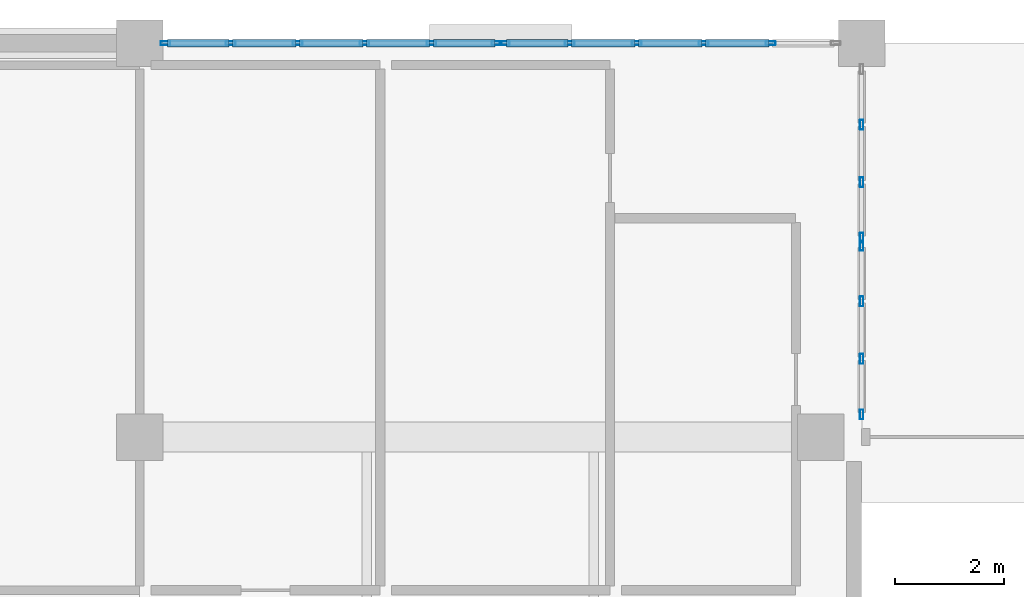
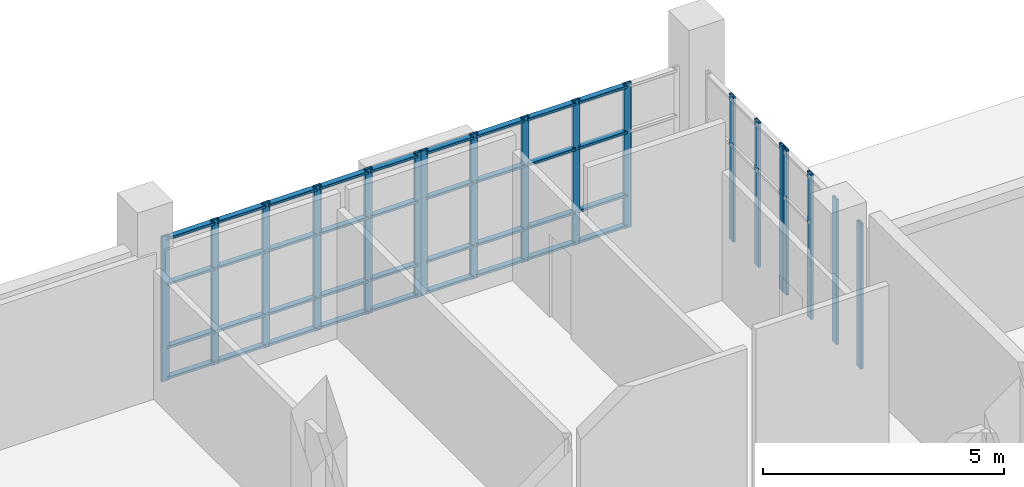
# One storey, part 42 of 97: 54 members, 4 elements without a shape of their own.
"""IFC4 building model written with IfcOpenShell, lengths in metres."""

import ifcopenshell
import ifcopenshell.guid

model = None  # the IFC model being written
_history = None  # IfcOwnerHistory: only IFC2X3 demands one
_inside = {}  # id of a spatial element -> (the spatial element, [elements in it])
_under = {}  # id of a project, library or spatial element -> (it, [spatial elements below it])
_declared = {}  # id of a project -> (the project, [libraries it declares])
_typed = {}  # id of a type object -> (the type object, [elements of that type])
_made_of = {}  # id of a material, layer set ... -> (it, [elements and type objects made of it])


def new_model(schema):
    """Start an empty IFC model of exactly this schema.

    Asked for "IFC4X3", IfcOpenShell would pick the latest addendum, in which some entities
    have other attributes; the version numbers below select the first issue.
    IFC2X3 requires an IfcOwnerHistory on every rooted entity: one is made here for all.
    """
    global model, _history
    if schema == "IFC4X3":
        model = ifcopenshell.file(schema_version=(4, 3, 0, 0))
    else:
        model = ifcopenshell.file(schema=schema)
    _inside.clear()
    _under.clear()
    _declared.clear()
    _typed.clear()
    _made_of.clear()
    _history = None
    if model.schema == "IFC2X3":
        org = make("IfcOrganization", Name="unknown")
        user = make(
            "IfcPersonAndOrganization",
            ThePerson=make("IfcPerson", FamilyName="unknown"),
            TheOrganization=org,
        )
        app = make(
            "IfcApplication",
            ApplicationDeveloper=org,
            Version="unknown",
            ApplicationFullName="unknown",
            ApplicationIdentifier="unknown",
        )
        _history = make(
            "IfcOwnerHistory",
            OwningUser=user,
            OwningApplication=app,
            ChangeAction="ADDED",
            CreationDate=0,
        )
    return model


def make(cls, **values):
    """One entity of the class cls with the attributes given. An attribute that is None is left unset."""
    return model.create_entity(
        cls, **{name: value for name, value in values.items() if value is not None}
    )


def rooted(cls, **values):
    """An entity with a GlobalId (a new one), such as an element, a storey or a relation."""
    return make(cls, GlobalId=ifcopenshell.guid.new(), OwnerHistory=_history, **values)


def si_unit(unit_type, name, prefix=None):
    """IfcSIUnit, for example si_unit("LENGTHUNIT", "METRE", prefix="MILLI")."""
    return make("IfcSIUnit", UnitType=unit_type, Prefix=prefix, Name=name)


def assignment(units):
    """IfcUnitAssignment: the units of a project."""
    return None if units is None else make("IfcUnitAssignment", Units=units)


def point(xyz):
    """IfcCartesianPoint."""
    return None if xyz is None else make("IfcCartesianPoint", Coordinates=xyz)


def direction(xyz):
    """IfcDirection."""
    return None if xyz is None else make("IfcDirection", DirectionRatios=xyz)


def frame(location, z_axis=None, x_axis=None):
    """IfcAxis2Placement3D, a coordinate frame: its origin and axes. An axis left out is left unset."""
    return make(
        "IfcAxis2Placement3D",
        Location=point(location),
        Axis=direction(z_axis),
        RefDirection=direction(x_axis),
    )


def frame_2d(location, x_axis=None):
    """IfcAxis2Placement2D, a coordinate frame in the plane: its origin and x axis."""
    return make(
        "IfcAxis2Placement2D", Location=point(location), RefDirection=direction(x_axis)
    )


def origin():
    """The frame at (0, 0, 0) with its axes left unset."""
    return frame((0.0, 0.0, 0.0))


def origin_2d():
    """The frame at (0, 0) in the plane with its x axis left unset."""
    return frame_2d((0.0, 0.0))


def place(relative_to, where):
    """IfcLocalPlacement: puts the frame where relative to a parent placement (None: the world)."""
    return make(
        "IfcLocalPlacement", PlacementRelTo=relative_to, RelativePlacement=where
    )


def context(
    kind, dimensions, precision=None, world=None, true_north=None, identifier=None
):
    """IfcGeometricRepresentationContext, for example the 3D "Model" context."""
    return make(
        "IfcGeometricRepresentationContext",
        ContextIdentifier=identifier,
        ContextType=kind,
        CoordinateSpaceDimension=dimensions,
        Precision=precision,
        WorldCoordinateSystem=world,
        TrueNorth=true_north,
    )


def subcontext(parent, identifier, kind, view, scale=None):
    """IfcGeometricRepresentationSubContext, for example "Body" below "Model"."""
    return make(
        "IfcGeometricRepresentationSubContext",
        ContextIdentifier=identifier,
        ContextType=kind,
        ParentContext=parent,
        TargetScale=scale,
        TargetView=view,
    )


def project(units=None, contexts=None):
    """IfcProject with its units and contexts."""
    return rooted(
        "IfcProject",
        Name="project",
        RepresentationContexts=contexts,
        UnitsInContext=assignment(units),
    )


def spatial(cls, under=None, at=None, **own):
    """A site, building, storey or space (cls), placed at a placement, below another one or the project."""
    s = rooted(cls, ObjectPlacement=at, **own)
    if under is not None:
        _under.setdefault(under.id(), (under, []))[1].append(s)
    return s


def profile(cls, at=None, kind="AREA", **sizes):
    """A parametric profile (cls). Its sizes go by their IFC names, for example OverallWidth=200.0."""
    return make(cls, ProfileType=kind, Position=at, **sizes)


def hollow_rectangle(**sizes):
    """IfcRectangleHollowProfileDef."""
    return profile("IfcRectangleHollowProfileDef", **sizes)


def extrude(swept, where, along, depth):
    """IfcExtrudedAreaSolid: the profile swept, set in the frame where, extruded along a direction by depth."""
    return make(
        "IfcExtrudedAreaSolid",
        SweptArea=swept,
        Position=where,
        ExtrudedDirection=direction(along),
        Depth=depth,
    )


def shape(context_of_items, identifier, shape_type, items):
    """IfcShapeRepresentation: the items that make up one representation, for example the "Body"."""
    return make(
        "IfcShapeRepresentation",
        ContextOfItems=context_of_items,
        RepresentationIdentifier=identifier,
        RepresentationType=shape_type,
        Items=items,
    )


def material(Name=None, Category=None):
    """IfcMaterial."""
    return make("IfcMaterial", Name=Name, Category=Category)


def layer(
    of_material, thickness, ventilated=None, Name=None, Category=None, Priority=None
):
    """IfcMaterialLayer: one layer of a wall or slab, of a material (None: an air gap)."""
    return make(
        "IfcMaterialLayer",
        Material=of_material,
        LayerThickness=thickness,
        IsVentilated=ventilated,
        Name=Name,
        Category=Category,
        Priority=Priority,
    )


def layer_set(layers, Name=None):
    """IfcMaterialLayerSet."""
    return make("IfcMaterialLayerSet", MaterialLayers=layers, LayerSetName=Name)


def material_profile(
    of_material, cross_section, Name=None, Category=None, Priority=None
):
    """IfcMaterialProfile: a cross section and its material."""
    return make(
        "IfcMaterialProfile",
        Name=Name,
        Material=of_material,
        Profile=cross_section,
        Priority=Priority,
        Category=Category,
    )


def profile_set(profiles, Name=None, composite=None):
    """IfcMaterialProfileSet."""
    return make(
        "IfcMaterialProfileSet",
        Name=Name,
        MaterialProfiles=profiles,
        CompositeProfile=composite,
    )


def made_of(thing, what):
    """Note that an element or type object is made of a material, layer set ...; save() writes the relation."""
    if what is not None:
        _made_of.setdefault(what.id(), (what, []))[1].append(thing)
    return thing


def type_object(cls, material=None, **own):
    """A type object (cls), such as IfcWallType, which elements share."""
    return made_of(rooted(cls, **own), material)


def element(
    cls,
    number,
    at=None,
    inside=None,
    cuts=None,
    type_object=None,
    material=None,
    context=None,
    identifier="Body",
    shape_type=None,
    held_by="IfcProductDefinitionShape",
    body=None,
    shapes=None,
    **own,
):
    """One element of the class cls, such as IfcWall. Its Tag is "e" and its number.

    at: its placement. inside: the storey or other place that contains it. cuts: it is an
    opening in that element (IfcRelVoidsElement). A single representation is given by context,
    identifier, shape_type and body (its items); several are given by shapes. held_by: the class
    of the entity that holds the representations. save() writes the other relations.
    """
    e = rooted(cls, Tag="e%d" % number, ObjectPlacement=at, **own)
    if body is not None:
        shapes = [shape(context, identifier, shape_type, body)]
    if shapes is not None:
        e.Representation = make(held_by, Representations=shapes)
    if inside is not None:
        _inside.setdefault(inside.id(), (inside, []))[1].append(e)
    if cuts is not None:
        rooted(
            "IfcRelVoidsElement", RelatingBuildingElement=cuts, RelatedOpeningElement=e
        )
    if type_object is not None:
        _typed.setdefault(type_object.id(), (type_object, []))[1].append(e)
    return made_of(e, material)


def aggregate(whole, parts):
    """IfcRelAggregates: a whole, such as a stair, and the parts it consists of."""
    return rooted("IfcRelAggregates", RelatingObject=whole, RelatedObjects=parts)


def save(model, path):
    """Write the relations noted so far, then the file.

    IfcRelAggregates (storeys below a building ...), IfcRelContainedInSpatialStructure (elements
    in a storey), IfcRelDefinesByType, IfcRelAssociatesMaterial and IfcRelDeclares: one each for
    every whole, place, type object, material and project.
    """
    for whole, parts in _under.values():
        aggregate(whole, parts)
    for where, things in _inside.values():
        rooted(
            "IfcRelContainedInSpatialStructure",
            RelatedElements=things,
            RelatingStructure=where,
        )
    for kind, things in _typed.values():
        rooted("IfcRelDefinesByType", RelatedObjects=things, RelatingType=kind)
    for what, things in _made_of.values():
        rooted("IfcRelAssociatesMaterial", RelatedObjects=things, RelatingMaterial=what)
    for by, libraries in _declared.values():
        rooted("IfcRelDeclares", RelatingContext=by, RelatedDefinitions=libraries)
    model.write(path)


model = new_model("IFC4")

# Units and contexts
model_context = context("Model", 3, precision=1e-05, world=origin(), true_north=direction((0.0, 1.0)))
body_context = subcontext(model_context, "Body", "Model", "MODEL_VIEW")
ifc_project = project(units=[si_unit("LENGTHUNIT", "METRE"), si_unit("AREAUNIT", "SQUARE_METRE"), si_unit("VOLUMEUNIT", "CUBIC_METRE"), si_unit("PLANEANGLEUNIT", "RADIAN"), si_unit("MASSUNIT", "GRAM", prefix="KILO")], contexts=[model_context])

# Site, building, storey
site_placement = place(None, origin())
site = spatial("IfcSite", under=ifc_project, at=site_placement, CompositionType="ELEMENT")
building_placement = place(site_placement, origin())
building = spatial("IfcBuilding", under=site, at=building_placement, Name="Kisaragi Civic Commons", CompositionType="ELEMENT")
storey_placement = place(building_placement, origin())
storey = spatial("IfcBuildingStorey", under=building, at=storey_placement, Name="L00", CompositionType="ELEMENT", Elevation=0.0)

# Curtain wall, members
ifc_material = material(Name="Thermally broken anodized aluminium and low-E double glazing", Category="aluminium")
ifc_layer = layer(ifc_material, 0.179931640625, Name="Thermally broken anodized aluminium and low-E double glazing", Category="aluminium")
ifc_layer_set = layer_set([ifc_layer], Name="Thermally broken anodized aluminium and low-E double glazing")
curtain_wall_type = type_object("IfcCurtainWallType", Name="CW-01", PredefinedType="NOTDEFINED", material=ifc_layer_set)
curtain_wall_1_placement = place(storey_placement, origin())
curtain_wall_1 = element("IfcCurtainWall", 1, at=curtain_wall_1_placement, inside=storey, type_object=curtain_wall_type, Name="L00 curtain wall CW-01 CW-V4-L00-049", PredefinedType="NOTDEFINED")
ifc_material_profile_1 = material_profile(ifc_material, hollow_rectangle(XDim=0.06494140625, YDim=0.179931640625, WallThickness=0.00439453125, InnerFilletRadius=0.00439453125, OuterFilletRadius=0.009033203125, at=origin_2d()), Name="CWM-65x180x4.5", Category="aluminium")
ifc_profile_set_1 = profile_set([ifc_material_profile_1], Name="Thermally broken anodized aluminium and low-E double glazing")
member_type_1 = type_object("IfcMemberType", Name="CWM-02", PredefinedType="MULLION", material=ifc_profile_set_1)
member_1_placement = place(storey_placement, frame((146.87255859375, 118.800048828125, 0.0), z_axis=(0.0, 0.0, 1.0), x_axis=(0.0, 1.0, 0.0)))
member_1 = element("IfcMember", 2, at=member_1_placement, type_object=member_type_1, Name="CW-01 mullion 1", PredefinedType="MULLION", context=body_context, shape_type="SweptSolid", body=[
    extrude(hollow_rectangle(XDim=0.06494140625, YDim=0.179931640625, WallThickness=0.00439453125, InnerFilletRadius=0.00439453125, OuterFilletRadius=0.009033203125, at=origin_2d()), origin(), (0.0, 0.0, 1.0), 3.669921875),
])
member_2_placement = place(storey_placement, frame((148.06396484375, 118.800048828125, 0.0), z_axis=(0.0, 0.0, 1.0), x_axis=(0.0, 1.0, 0.0)))
member_2 = element("IfcMember", 3, at=member_2_placement, type_object=member_type_1, Name="CW-01 mullion 2", PredefinedType="MULLION", context=body_context, shape_type="SweptSolid", body=[
    extrude(hollow_rectangle(XDim=0.06494140625, YDim=0.179931640625, WallThickness=0.00439453125, InnerFilletRadius=0.00439453125, OuterFilletRadius=0.009033203125, at=origin_2d()), origin(), (0.0, 0.0, 1.0), 3.669921875),
])
member_3_placement = place(storey_placement, frame((149.2880859375, 118.800048828125, 0.0), z_axis=(0.0, 0.0, 1.0), x_axis=(0.0, 1.0, 0.0)))
member_3 = element("IfcMember", 4, at=member_3_placement, type_object=member_type_1, Name="CW-01 mullion 3", PredefinedType="MULLION", context=body_context, shape_type="SweptSolid", body=[
    extrude(hollow_rectangle(XDim=0.06494140625, YDim=0.179931640625, WallThickness=0.00439453125, InnerFilletRadius=0.00439453125, OuterFilletRadius=0.009033203125, at=origin_2d()), origin(), (0.0, 0.0, 1.0), 3.669921875),
])
member_4_placement = place(storey_placement, frame((150.511962890625, 118.800048828125, 0.0), z_axis=(0.0, 0.0, 1.0), x_axis=(0.0, 1.0, 0.0)))
member_4 = element("IfcMember", 5, at=member_4_placement, type_object=member_type_1, Name="CW-01 mullion 4", PredefinedType="MULLION", context=body_context, shape_type="SweptSolid", body=[
    extrude(hollow_rectangle(XDim=0.06494140625, YDim=0.179931640625, WallThickness=0.00439453125, InnerFilletRadius=0.00439453125, OuterFilletRadius=0.009033203125, at=origin_2d()), origin(), (0.0, 0.0, 1.0), 3.669921875),
])
member_5_placement = place(storey_placement, frame((151.736083984375, 118.800048828125, 0.0), z_axis=(0.0, 0.0, 1.0), x_axis=(0.0, 1.0, 0.0)))
member_5 = element("IfcMember", 6, at=member_5_placement, type_object=member_type_1, Name="CW-01 mullion 5", PredefinedType="MULLION", context=body_context, shape_type="SweptSolid", body=[
    extrude(hollow_rectangle(XDim=0.06494140625, YDim=0.179931640625, WallThickness=0.00439453125, InnerFilletRadius=0.00439453125, OuterFilletRadius=0.009033203125, at=origin_2d()), origin(), (0.0, 0.0, 1.0), 3.669921875),
])
member_6_placement = place(storey_placement, frame((152.927490234375, 118.800048828125, 0.0), z_axis=(0.0, 0.0, 1.0), x_axis=(0.0, 1.0, 0.0)))
member_6 = element("IfcMember", 7, at=member_6_placement, type_object=member_type_1, Name="CW-01 mullion 6", PredefinedType="MULLION", context=body_context, shape_type="SweptSolid", body=[
    extrude(hollow_rectangle(XDim=0.06494140625, YDim=0.179931640625, WallThickness=0.00439453125, InnerFilletRadius=0.00439453125, OuterFilletRadius=0.009033203125, at=origin_2d()), origin(), (0.0, 0.0, 1.0), 3.669921875),
])

curtain_wall_2_placement = place(storey_placement, origin())
curtain_wall_2 = element("IfcCurtainWall", 8, at=curtain_wall_2_placement, inside=storey, type_object=curtain_wall_type, Name="L00 curtain wall CW-01 CW-V4-L00-050", PredefinedType="NOTDEFINED")
member_7_placement = place(storey_placement, frame((153.072509765625, 118.800048828125, 0.0), z_axis=(0.0, 0.0, 1.0), x_axis=(0.0, 1.0, 0.0)))
member_7 = element("IfcMember", 9, at=member_7_placement, type_object=member_type_1, Name="CW-01 mullion 1", PredefinedType="MULLION", context=body_context, shape_type="SweptSolid", body=[
    extrude(hollow_rectangle(XDim=0.06494140625, YDim=0.179931640625, WallThickness=0.00439453125, InnerFilletRadius=0.00439453125, OuterFilletRadius=0.009033203125, at=origin_2d()), origin(), (0.0, 0.0, 1.0), 3.669921875),
])
member_8_placement = place(storey_placement, frame((154.263916015625, 118.800048828125, 0.0), z_axis=(0.0, 0.0, 1.0), x_axis=(0.0, 1.0, 0.0)))
member_8 = element("IfcMember", 10, at=member_8_placement, type_object=member_type_1, Name="CW-01 mullion 2", PredefinedType="MULLION", context=body_context, shape_type="SweptSolid", body=[
    extrude(hollow_rectangle(XDim=0.06494140625, YDim=0.179931640625, WallThickness=0.00439453125, InnerFilletRadius=0.00439453125, OuterFilletRadius=0.009033203125, at=origin_2d()), origin(), (0.0, 0.0, 1.0), 3.669921875),
])
member_9_placement = place(storey_placement, frame((155.488037109375, 118.800048828125, 0.0), z_axis=(0.0, 0.0, 1.0), x_axis=(0.0, 1.0, 0.0)))
member_9 = element("IfcMember", 11, at=member_9_placement, type_object=member_type_1, Name="CW-01 mullion 3", PredefinedType="MULLION", context=body_context, shape_type="SweptSolid", body=[
    extrude(hollow_rectangle(XDim=0.06494140625, YDim=0.179931640625, WallThickness=0.00439453125, InnerFilletRadius=0.00439453125, OuterFilletRadius=0.009033203125, at=origin_2d()), origin(), (0.0, 0.0, 1.0), 3.669921875),
])
member_10_placement = place(storey_placement, frame((156.7119140625, 118.800048828125, 0.0), z_axis=(0.0, 0.0, 1.0), x_axis=(0.0, 1.0, 0.0)))
member_10 = element("IfcMember", 12, at=member_10_placement, type_object=member_type_1, Name="CW-01 mullion 4", PredefinedType="MULLION", context=body_context, shape_type="SweptSolid", body=[
    extrude(hollow_rectangle(XDim=0.06494140625, YDim=0.179931640625, WallThickness=0.00439453125, InnerFilletRadius=0.00439453125, OuterFilletRadius=0.009033203125, at=origin_2d()), origin(), (0.0, 0.0, 1.0), 3.669921875),
])
member_11_placement = place(storey_placement, frame((157.93603515625, 118.800048828125, 0.0), z_axis=(0.0, 0.0, 1.0), x_axis=(0.0, 1.0, 0.0)))
member_11 = element("IfcMember", 13, at=member_11_placement, type_object=member_type_1, Name="CW-01 mullion 5", PredefinedType="MULLION", context=body_context, shape_type="SweptSolid", body=[
    extrude(hollow_rectangle(XDim=0.06494140625, YDim=0.179931640625, WallThickness=0.00439453125, InnerFilletRadius=0.00439453125, OuterFilletRadius=0.009033203125, at=origin_2d()), origin(), (0.0, 0.0, 1.0), 3.669921875),
])

curtain_wall_3_placement = place(storey_placement, origin())
curtain_wall_3 = element("IfcCurtainWall", 14, at=curtain_wall_3_placement, inside=storey, type_object=curtain_wall_type, Name="L00 curtain wall CW-01 CW-V4-L00-051", PredefinedType="NOTDEFINED")
member_12_placement = place(storey_placement, frame((159.60009765625, 117.31005859375, 0.0), z_axis=(0.0, 0.0, 1.0), x_axis=(1.0, 0.0, 0.0)))
member_12 = element("IfcMember", 15, at=member_12_placement, type_object=member_type_1, Name="CW-01 mullion 2", PredefinedType="MULLION", context=body_context, shape_type="SweptSolid", body=[
    extrude(hollow_rectangle(XDim=0.06494140625, YDim=0.179931640625, WallThickness=0.00439453125, InnerFilletRadius=0.00439453125, OuterFilletRadius=0.009033203125, at=origin_2d()), origin(), (0.0, 0.0, 1.0), 3.669921875),
])
member_13_placement = place(storey_placement, frame((159.60009765625, 116.260009765625, 0.0), z_axis=(0.0, 0.0, 1.0), x_axis=(1.0, 0.0, 0.0)))
member_13 = element("IfcMember", 16, at=member_13_placement, type_object=member_type_1, Name="CW-01 mullion 3", PredefinedType="MULLION", context=body_context, shape_type="SweptSolid", body=[
    extrude(hollow_rectangle(XDim=0.06494140625, YDim=0.179931640625, WallThickness=0.00439453125, InnerFilletRadius=0.00439453125, OuterFilletRadius=0.009033203125, at=origin_2d()), origin(), (0.0, 0.0, 1.0), 3.669921875),
])
member_14_placement = place(storey_placement, frame((159.60009765625, 115.242431640625, 0.0), z_axis=(0.0, 0.0, 1.0), x_axis=(1.0, 0.0, 0.0)))
member_14 = element("IfcMember", 17, at=member_14_placement, type_object=member_type_1, Name="CW-01 mullion 4", PredefinedType="MULLION", context=body_context, shape_type="SweptSolid", body=[
    extrude(hollow_rectangle(XDim=0.06494140625, YDim=0.179931640625, WallThickness=0.00439453125, InnerFilletRadius=0.00439453125, OuterFilletRadius=0.009033203125, at=origin_2d()), origin(), (0.0, 0.0, 1.0), 3.669921875),
])
aggregate(curtain_wall_3, [member_12, member_13, member_14])

curtain_wall_4_placement = place(storey_placement, origin())
curtain_wall_4 = element("IfcCurtainWall", 18, at=curtain_wall_4_placement, inside=storey, type_object=curtain_wall_type, Name="L00 curtain wall CW-01 CW-V4-L00-052", PredefinedType="NOTDEFINED")
member_15_placement = place(storey_placement, frame((159.60009765625, 115.097412109375, 0.0), z_axis=(0.0, 0.0, 1.0), x_axis=(1.0, 0.0, 0.0)))
member_15 = element("IfcMember", 19, at=member_15_placement, type_object=member_type_1, Name="CW-01 mullion 1", PredefinedType="MULLION", context=body_context, shape_type="SweptSolid", body=[
    extrude(hollow_rectangle(XDim=0.06494140625, YDim=0.179931640625, WallThickness=0.00439453125, InnerFilletRadius=0.00439453125, OuterFilletRadius=0.009033203125, at=origin_2d()), origin(), (0.0, 0.0, 1.0), 3.669921875),
])
member_16_placement = place(storey_placement, frame((159.60009765625, 114.080078125, 0.0), z_axis=(0.0, 0.0, 1.0), x_axis=(1.0, 0.0, 0.0)))
member_16 = element("IfcMember", 20, at=member_16_placement, type_object=member_type_1, Name="CW-01 mullion 2", PredefinedType="MULLION", context=body_context, shape_type="SweptSolid", body=[
    extrude(hollow_rectangle(XDim=0.06494140625, YDim=0.179931640625, WallThickness=0.00439453125, InnerFilletRadius=0.00439453125, OuterFilletRadius=0.009033203125, at=origin_2d()), origin(), (0.0, 0.0, 1.0), 3.669921875),
])
member_17_placement = place(storey_placement, frame((159.60009765625, 113.030029296875, 0.0), z_axis=(0.0, 0.0, 1.0), x_axis=(1.0, 0.0, 0.0)))
member_17 = element("IfcMember", 21, at=member_17_placement, type_object=member_type_1, Name="CW-01 mullion 3", PredefinedType="MULLION", context=body_context, shape_type="SweptSolid", body=[
    extrude(hollow_rectangle(XDim=0.06494140625, YDim=0.179931640625, WallThickness=0.00439453125, InnerFilletRadius=0.00439453125, OuterFilletRadius=0.009033203125, at=origin_2d()), origin(), (0.0, 0.0, 1.0), 3.669921875),
])
member_18_placement = place(storey_placement, frame((159.60009765625, 112.012451171875, 0.0), z_axis=(0.0, 0.0, 1.0), x_axis=(1.0, 0.0, 0.0)))
member_18 = element("IfcMember", 22, at=member_18_placement, type_object=member_type_1, Name="CW-01 mullion 4", PredefinedType="MULLION", context=body_context, shape_type="SweptSolid", body=[
    extrude(hollow_rectangle(XDim=0.06494140625, YDim=0.179931640625, WallThickness=0.00439453125, InnerFilletRadius=0.00439453125, OuterFilletRadius=0.009033203125, at=origin_2d()), origin(), (0.0, 0.0, 1.0), 3.669921875),
])
aggregate(curtain_wall_4, [member_15, member_16, member_17, member_18])

# Member
ifc_material_profile_2 = material_profile(ifc_material, hollow_rectangle(XDim=0.139892578125, YDim=0.06494140625, WallThickness=0.00439453125, InnerFilletRadius=0.00439453125, OuterFilletRadius=0.009033203125, at=origin_2d()), Name="CWT-65x140x4.5", Category="aluminium")
ifc_profile_set_2 = profile_set([ifc_material_profile_2], Name="Thermally broken anodized aluminium and low-E double glazing")
member_type_2 = type_object("IfcMemberType", Name="CWT-02", PredefinedType="USERDEFINED", material=ifc_profile_set_2)
member_19_placement = place(storey_placement, frame((146.905029296875, 118.800048828125, 0.070068359375), z_axis=(1.0, 0.0, 0.0), x_axis=(0.0, 1.0, 0.0)))
member_19 = element("IfcMember", 23, at=member_19_placement, type_object=member_type_2, Name="CW-01 transom 1.1", ObjectType="TRANSOM", PredefinedType="USERDEFINED", context=body_context, shape_type="SweptSolid", body=[
    extrude(hollow_rectangle(XDim=0.139892578125, YDim=0.06494140625, WallThickness=0.00439453125, InnerFilletRadius=0.00439453125, OuterFilletRadius=0.009033203125, at=origin_2d()), origin(), (0.0, 0.0, 1.0), 1.12646484375),
])

member_20_placement = place(storey_placement, frame((146.905029296875, 118.800048828125, 0.85009765625), z_axis=(1.0, 0.0, 0.0), x_axis=(0.0, 1.0, 0.0)))
member_20 = element("IfcMember", 24, at=member_20_placement, type_object=member_type_2, Name="CW-01 transom 1.2", ObjectType="TRANSOM", PredefinedType="USERDEFINED", context=body_context, shape_type="SweptSolid", body=[
    extrude(hollow_rectangle(XDim=0.139892578125, YDim=0.06494140625, WallThickness=0.00439453125, InnerFilletRadius=0.00439453125, OuterFilletRadius=0.009033203125, at=origin_2d()), origin(), (0.0, 0.0, 1.0), 1.12646484375),
])

member_21_placement = place(storey_placement, frame((146.905029296875, 118.800048828125, 2.449951171875), z_axis=(1.0, 0.0, 0.0), x_axis=(0.0, 1.0, 0.0)))
member_21 = element("IfcMember", 25, at=member_21_placement, type_object=member_type_2, Name="CW-01 transom 1.3", ObjectType="TRANSOM", PredefinedType="USERDEFINED", context=body_context, shape_type="SweptSolid", body=[
    extrude(hollow_rectangle(XDim=0.139892578125, YDim=0.06494140625, WallThickness=0.00439453125, InnerFilletRadius=0.00439453125, OuterFilletRadius=0.009033203125, at=origin_2d()), origin(), (0.0, 0.0, 1.0), 1.12646484375),
])

member_22_placement = place(storey_placement, frame((146.905029296875, 118.800048828125, 3.60009765625), z_axis=(1.0, 0.0, 0.0), x_axis=(0.0, 1.0, 0.0)))
member_22 = element("IfcMember", 26, at=member_22_placement, type_object=member_type_2, Name="CW-01 transom 1.4", ObjectType="TRANSOM", PredefinedType="USERDEFINED", context=body_context, shape_type="SweptSolid", body=[
    extrude(hollow_rectangle(XDim=0.139892578125, YDim=0.06494140625, WallThickness=0.00439453125, InnerFilletRadius=0.00439453125, OuterFilletRadius=0.009033203125, at=origin_2d()), origin(), (0.0, 0.0, 1.0), 1.12646484375),
])

member_23_placement = place(storey_placement, frame((148.096435546875, 118.800048828125, 0.070068359375), z_axis=(1.0, 0.0, 0.0), x_axis=(0.0, 1.0, 0.0)))
member_23 = element("IfcMember", 27, at=member_23_placement, type_object=member_type_2, Name="CW-01 transom 2.1", ObjectType="TRANSOM", PredefinedType="USERDEFINED", context=body_context, shape_type="SweptSolid", body=[
    extrude(hollow_rectangle(XDim=0.139892578125, YDim=0.06494140625, WallThickness=0.00439453125, InnerFilletRadius=0.00439453125, OuterFilletRadius=0.009033203125, at=origin_2d()), origin(), (0.0, 0.0, 1.0), 1.1591796875),
])

member_24_placement = place(storey_placement, frame((148.096435546875, 118.800048828125, 0.85009765625), z_axis=(1.0, 0.0, 0.0), x_axis=(0.0, 1.0, 0.0)))
member_24 = element("IfcMember", 28, at=member_24_placement, type_object=member_type_2, Name="CW-01 transom 2.2", ObjectType="TRANSOM", PredefinedType="USERDEFINED", context=body_context, shape_type="SweptSolid", body=[
    extrude(hollow_rectangle(XDim=0.139892578125, YDim=0.06494140625, WallThickness=0.00439453125, InnerFilletRadius=0.00439453125, OuterFilletRadius=0.009033203125, at=origin_2d()), origin(), (0.0, 0.0, 1.0), 1.1591796875),
])

member_25_placement = place(storey_placement, frame((148.096435546875, 118.800048828125, 2.449951171875), z_axis=(1.0, 0.0, 0.0), x_axis=(0.0, 1.0, 0.0)))
member_25 = element("IfcMember", 29, at=member_25_placement, type_object=member_type_2, Name="CW-01 transom 2.3", ObjectType="TRANSOM", PredefinedType="USERDEFINED", context=body_context, shape_type="SweptSolid", body=[
    extrude(hollow_rectangle(XDim=0.139892578125, YDim=0.06494140625, WallThickness=0.00439453125, InnerFilletRadius=0.00439453125, OuterFilletRadius=0.009033203125, at=origin_2d()), origin(), (0.0, 0.0, 1.0), 1.1591796875),
])

member_26_placement = place(storey_placement, frame((148.096435546875, 118.800048828125, 3.60009765625), z_axis=(1.0, 0.0, 0.0), x_axis=(0.0, 1.0, 0.0)))
member_26 = element("IfcMember", 30, at=member_26_placement, type_object=member_type_2, Name="CW-01 transom 2.4", ObjectType="TRANSOM", PredefinedType="USERDEFINED", context=body_context, shape_type="SweptSolid", body=[
    extrude(hollow_rectangle(XDim=0.139892578125, YDim=0.06494140625, WallThickness=0.00439453125, InnerFilletRadius=0.00439453125, OuterFilletRadius=0.009033203125, at=origin_2d()), origin(), (0.0, 0.0, 1.0), 1.1591796875),
])

member_27_placement = place(storey_placement, frame((149.320556640625, 118.800048828125, 0.070068359375), z_axis=(1.0, 0.0, 0.0), x_axis=(0.0, 1.0, 0.0)))
member_27 = element("IfcMember", 31, at=member_27_placement, type_object=member_type_2, Name="CW-01 transom 3.1", ObjectType="TRANSOM", PredefinedType="USERDEFINED", context=body_context, shape_type="SweptSolid", body=[
    extrude(hollow_rectangle(XDim=0.139892578125, YDim=0.06494140625, WallThickness=0.00439453125, InnerFilletRadius=0.00439453125, OuterFilletRadius=0.009033203125, at=origin_2d()), origin(), (0.0, 0.0, 1.0), 1.158935546875),
])

member_28_placement = place(storey_placement, frame((149.320556640625, 118.800048828125, 0.85009765625), z_axis=(1.0, 0.0, 0.0), x_axis=(0.0, 1.0, 0.0)))
member_28 = element("IfcMember", 32, at=member_28_placement, type_object=member_type_2, Name="CW-01 transom 3.2", ObjectType="TRANSOM", PredefinedType="USERDEFINED", context=body_context, shape_type="SweptSolid", body=[
    extrude(hollow_rectangle(XDim=0.139892578125, YDim=0.06494140625, WallThickness=0.00439453125, InnerFilletRadius=0.00439453125, OuterFilletRadius=0.009033203125, at=origin_2d()), origin(), (0.0, 0.0, 1.0), 1.158935546875),
])

member_29_placement = place(storey_placement, frame((149.320556640625, 118.800048828125, 2.449951171875), z_axis=(1.0, 0.0, 0.0), x_axis=(0.0, 1.0, 0.0)))
member_29 = element("IfcMember", 33, at=member_29_placement, type_object=member_type_2, Name="CW-01 transom 3.3", ObjectType="TRANSOM", PredefinedType="USERDEFINED", context=body_context, shape_type="SweptSolid", body=[
    extrude(hollow_rectangle(XDim=0.139892578125, YDim=0.06494140625, WallThickness=0.00439453125, InnerFilletRadius=0.00439453125, OuterFilletRadius=0.009033203125, at=origin_2d()), origin(), (0.0, 0.0, 1.0), 1.158935546875),
])

member_30_placement = place(storey_placement, frame((149.320556640625, 118.800048828125, 3.60009765625), z_axis=(1.0, 0.0, 0.0), x_axis=(0.0, 1.0, 0.0)))
member_30 = element("IfcMember", 34, at=member_30_placement, type_object=member_type_2, Name="CW-01 transom 3.4", ObjectType="TRANSOM", PredefinedType="USERDEFINED", context=body_context, shape_type="SweptSolid", body=[
    extrude(hollow_rectangle(XDim=0.139892578125, YDim=0.06494140625, WallThickness=0.00439453125, InnerFilletRadius=0.00439453125, OuterFilletRadius=0.009033203125, at=origin_2d()), origin(), (0.0, 0.0, 1.0), 1.158935546875),
])

member_31_placement = place(storey_placement, frame((150.54443359375, 118.800048828125, 0.070068359375), z_axis=(1.0, 0.0, 0.0), x_axis=(0.0, 1.0, 0.0)))
member_31 = element("IfcMember", 35, at=member_31_placement, type_object=member_type_2, Name="CW-01 transom 4.1", ObjectType="TRANSOM", PredefinedType="USERDEFINED", context=body_context, shape_type="SweptSolid", body=[
    extrude(hollow_rectangle(XDim=0.139892578125, YDim=0.06494140625, WallThickness=0.00439453125, InnerFilletRadius=0.00439453125, OuterFilletRadius=0.009033203125, at=origin_2d()), origin(), (0.0, 0.0, 1.0), 1.1591796875),
])

member_32_placement = place(storey_placement, frame((150.54443359375, 118.800048828125, 0.85009765625), z_axis=(1.0, 0.0, 0.0), x_axis=(0.0, 1.0, 0.0)))
member_32 = element("IfcMember", 36, at=member_32_placement, type_object=member_type_2, Name="CW-01 transom 4.2", ObjectType="TRANSOM", PredefinedType="USERDEFINED", context=body_context, shape_type="SweptSolid", body=[
    extrude(hollow_rectangle(XDim=0.139892578125, YDim=0.06494140625, WallThickness=0.00439453125, InnerFilletRadius=0.00439453125, OuterFilletRadius=0.009033203125, at=origin_2d()), origin(), (0.0, 0.0, 1.0), 1.1591796875),
])

member_33_placement = place(storey_placement, frame((150.54443359375, 118.800048828125, 2.449951171875), z_axis=(1.0, 0.0, 0.0), x_axis=(0.0, 1.0, 0.0)))
member_33 = element("IfcMember", 37, at=member_33_placement, type_object=member_type_2, Name="CW-01 transom 4.3", ObjectType="TRANSOM", PredefinedType="USERDEFINED", context=body_context, shape_type="SweptSolid", body=[
    extrude(hollow_rectangle(XDim=0.139892578125, YDim=0.06494140625, WallThickness=0.00439453125, InnerFilletRadius=0.00439453125, OuterFilletRadius=0.009033203125, at=origin_2d()), origin(), (0.0, 0.0, 1.0), 1.1591796875),
])

member_34_placement = place(storey_placement, frame((150.54443359375, 118.800048828125, 3.60009765625), z_axis=(1.0, 0.0, 0.0), x_axis=(0.0, 1.0, 0.0)))
member_34 = element("IfcMember", 38, at=member_34_placement, type_object=member_type_2, Name="CW-01 transom 4.4", ObjectType="TRANSOM", PredefinedType="USERDEFINED", context=body_context, shape_type="SweptSolid", body=[
    extrude(hollow_rectangle(XDim=0.139892578125, YDim=0.06494140625, WallThickness=0.00439453125, InnerFilletRadius=0.00439453125, OuterFilletRadius=0.009033203125, at=origin_2d()), origin(), (0.0, 0.0, 1.0), 1.1591796875),
])

member_35_placement = place(storey_placement, frame((151.7685546875, 118.800048828125, 0.070068359375), z_axis=(1.0, 0.0, 0.0), x_axis=(0.0, 1.0, 0.0)))
member_35 = element("IfcMember", 39, at=member_35_placement, type_object=member_type_2, Name="CW-01 transom 5.1", ObjectType="TRANSOM", PredefinedType="USERDEFINED", context=body_context, shape_type="SweptSolid", body=[
    extrude(hollow_rectangle(XDim=0.139892578125, YDim=0.06494140625, WallThickness=0.00439453125, InnerFilletRadius=0.00439453125, OuterFilletRadius=0.009033203125, at=origin_2d()), origin(), (0.0, 0.0, 1.0), 1.12646484375),
])

member_36_placement = place(storey_placement, frame((151.7685546875, 118.800048828125, 0.85009765625), z_axis=(1.0, 0.0, 0.0), x_axis=(0.0, 1.0, 0.0)))
member_36 = element("IfcMember", 40, at=member_36_placement, type_object=member_type_2, Name="CW-01 transom 5.2", ObjectType="TRANSOM", PredefinedType="USERDEFINED", context=body_context, shape_type="SweptSolid", body=[
    extrude(hollow_rectangle(XDim=0.139892578125, YDim=0.06494140625, WallThickness=0.00439453125, InnerFilletRadius=0.00439453125, OuterFilletRadius=0.009033203125, at=origin_2d()), origin(), (0.0, 0.0, 1.0), 1.12646484375),
])

member_37_placement = place(storey_placement, frame((151.7685546875, 118.800048828125, 2.449951171875), z_axis=(1.0, 0.0, 0.0), x_axis=(0.0, 1.0, 0.0)))
member_37 = element("IfcMember", 41, at=member_37_placement, type_object=member_type_2, Name="CW-01 transom 5.3", ObjectType="TRANSOM", PredefinedType="USERDEFINED", context=body_context, shape_type="SweptSolid", body=[
    extrude(hollow_rectangle(XDim=0.139892578125, YDim=0.06494140625, WallThickness=0.00439453125, InnerFilletRadius=0.00439453125, OuterFilletRadius=0.009033203125, at=origin_2d()), origin(), (0.0, 0.0, 1.0), 1.12646484375),
])

member_38_placement = place(storey_placement, frame((151.7685546875, 118.800048828125, 3.60009765625), z_axis=(1.0, 0.0, 0.0), x_axis=(0.0, 1.0, 0.0)))
member_38 = element("IfcMember", 42, at=member_38_placement, type_object=member_type_2, Name="CW-01 transom 5.4", ObjectType="TRANSOM", PredefinedType="USERDEFINED", context=body_context, shape_type="SweptSolid", body=[
    extrude(hollow_rectangle(XDim=0.139892578125, YDim=0.06494140625, WallThickness=0.00439453125, InnerFilletRadius=0.00439453125, OuterFilletRadius=0.009033203125, at=origin_2d()), origin(), (0.0, 0.0, 1.0), 1.12646484375),
])

aggregate(curtain_wall_1, [member_1, member_2, member_3, member_4, member_5, member_6, member_19, member_20, member_21, member_22, member_23, member_24, member_25, member_26, member_27, member_28, member_29, member_30, member_31, member_32, member_33, member_34, member_35, member_36, member_37, member_38])

member_39_placement = place(storey_placement, frame((153.10498046875, 118.800048828125, 0.070068359375), z_axis=(1.0, 0.0, 0.0), x_axis=(0.0, 1.0, 0.0)))
member_39 = element("IfcMember", 43, at=member_39_placement, type_object=member_type_2, Name="CW-01 transom 1.1", ObjectType="TRANSOM", PredefinedType="USERDEFINED", context=body_context, shape_type="SweptSolid", body=[
    extrude(hollow_rectangle(XDim=0.139892578125, YDim=0.06494140625, WallThickness=0.00439453125, InnerFilletRadius=0.00439453125, OuterFilletRadius=0.009033203125, at=origin_2d()), origin(), (0.0, 0.0, 1.0), 1.12646484375),
])

member_40_placement = place(storey_placement, frame((153.10498046875, 118.800048828125, 0.85009765625), z_axis=(1.0, 0.0, 0.0), x_axis=(0.0, 1.0, 0.0)))
member_40 = element("IfcMember", 44, at=member_40_placement, type_object=member_type_2, Name="CW-01 transom 1.2", ObjectType="TRANSOM", PredefinedType="USERDEFINED", context=body_context, shape_type="SweptSolid", body=[
    extrude(hollow_rectangle(XDim=0.139892578125, YDim=0.06494140625, WallThickness=0.00439453125, InnerFilletRadius=0.00439453125, OuterFilletRadius=0.009033203125, at=origin_2d()), origin(), (0.0, 0.0, 1.0), 1.12646484375),
])

member_41_placement = place(storey_placement, frame((153.10498046875, 118.800048828125, 2.449951171875), z_axis=(1.0, 0.0, 0.0), x_axis=(0.0, 1.0, 0.0)))
member_41 = element("IfcMember", 45, at=member_41_placement, type_object=member_type_2, Name="CW-01 transom 1.3", ObjectType="TRANSOM", PredefinedType="USERDEFINED", context=body_context, shape_type="SweptSolid", body=[
    extrude(hollow_rectangle(XDim=0.139892578125, YDim=0.06494140625, WallThickness=0.00439453125, InnerFilletRadius=0.00439453125, OuterFilletRadius=0.009033203125, at=origin_2d()), origin(), (0.0, 0.0, 1.0), 1.12646484375),
])

member_42_placement = place(storey_placement, frame((153.10498046875, 118.800048828125, 3.60009765625), z_axis=(1.0, 0.0, 0.0), x_axis=(0.0, 1.0, 0.0)))
member_42 = element("IfcMember", 46, at=member_42_placement, type_object=member_type_2, Name="CW-01 transom 1.4", ObjectType="TRANSOM", PredefinedType="USERDEFINED", context=body_context, shape_type="SweptSolid", body=[
    extrude(hollow_rectangle(XDim=0.139892578125, YDim=0.06494140625, WallThickness=0.00439453125, InnerFilletRadius=0.00439453125, OuterFilletRadius=0.009033203125, at=origin_2d()), origin(), (0.0, 0.0, 1.0), 1.12646484375),
])

member_43_placement = place(storey_placement, frame((154.29638671875, 118.800048828125, 0.070068359375), z_axis=(1.0, 0.0, 0.0), x_axis=(0.0, 1.0, 0.0)))
member_43 = element("IfcMember", 47, at=member_43_placement, type_object=member_type_2, Name="CW-01 transom 2.1", ObjectType="TRANSOM", PredefinedType="USERDEFINED", context=body_context, shape_type="SweptSolid", body=[
    extrude(hollow_rectangle(XDim=0.139892578125, YDim=0.06494140625, WallThickness=0.00439453125, InnerFilletRadius=0.00439453125, OuterFilletRadius=0.009033203125, at=origin_2d()), origin(), (0.0, 0.0, 1.0), 1.1591796875),
])

member_44_placement = place(storey_placement, frame((154.29638671875, 118.800048828125, 0.85009765625), z_axis=(1.0, 0.0, 0.0), x_axis=(0.0, 1.0, 0.0)))
member_44 = element("IfcMember", 48, at=member_44_placement, type_object=member_type_2, Name="CW-01 transom 2.2", ObjectType="TRANSOM", PredefinedType="USERDEFINED", context=body_context, shape_type="SweptSolid", body=[
    extrude(hollow_rectangle(XDim=0.139892578125, YDim=0.06494140625, WallThickness=0.00439453125, InnerFilletRadius=0.00439453125, OuterFilletRadius=0.009033203125, at=origin_2d()), origin(), (0.0, 0.0, 1.0), 1.1591796875),
])

member_45_placement = place(storey_placement, frame((154.29638671875, 118.800048828125, 2.449951171875), z_axis=(1.0, 0.0, 0.0), x_axis=(0.0, 1.0, 0.0)))
member_45 = element("IfcMember", 49, at=member_45_placement, type_object=member_type_2, Name="CW-01 transom 2.3", ObjectType="TRANSOM", PredefinedType="USERDEFINED", context=body_context, shape_type="SweptSolid", body=[
    extrude(hollow_rectangle(XDim=0.139892578125, YDim=0.06494140625, WallThickness=0.00439453125, InnerFilletRadius=0.00439453125, OuterFilletRadius=0.009033203125, at=origin_2d()), origin(), (0.0, 0.0, 1.0), 1.1591796875),
])

member_46_placement = place(storey_placement, frame((154.29638671875, 118.800048828125, 3.60009765625), z_axis=(1.0, 0.0, 0.0), x_axis=(0.0, 1.0, 0.0)))
member_46 = element("IfcMember", 50, at=member_46_placement, type_object=member_type_2, Name="CW-01 transom 2.4", ObjectType="TRANSOM", PredefinedType="USERDEFINED", context=body_context, shape_type="SweptSolid", body=[
    extrude(hollow_rectangle(XDim=0.139892578125, YDim=0.06494140625, WallThickness=0.00439453125, InnerFilletRadius=0.00439453125, OuterFilletRadius=0.009033203125, at=origin_2d()), origin(), (0.0, 0.0, 1.0), 1.1591796875),
])

member_47_placement = place(storey_placement, frame((155.5205078125, 118.800048828125, 0.070068359375), z_axis=(1.0, 0.0, 0.0), x_axis=(0.0, 1.0, 0.0)))
member_47 = element("IfcMember", 51, at=member_47_placement, type_object=member_type_2, Name="CW-01 transom 3.1", ObjectType="TRANSOM", PredefinedType="USERDEFINED", context=body_context, shape_type="SweptSolid", body=[
    extrude(hollow_rectangle(XDim=0.139892578125, YDim=0.06494140625, WallThickness=0.00439453125, InnerFilletRadius=0.00439453125, OuterFilletRadius=0.009033203125, at=origin_2d()), origin(), (0.0, 0.0, 1.0), 1.158935546875),
])

member_48_placement = place(storey_placement, frame((155.5205078125, 118.800048828125, 0.85009765625), z_axis=(1.0, 0.0, 0.0), x_axis=(0.0, 1.0, 0.0)))
member_48 = element("IfcMember", 52, at=member_48_placement, type_object=member_type_2, Name="CW-01 transom 3.2", ObjectType="TRANSOM", PredefinedType="USERDEFINED", context=body_context, shape_type="SweptSolid", body=[
    extrude(hollow_rectangle(XDim=0.139892578125, YDim=0.06494140625, WallThickness=0.00439453125, InnerFilletRadius=0.00439453125, OuterFilletRadius=0.009033203125, at=origin_2d()), origin(), (0.0, 0.0, 1.0), 1.158935546875),
])

member_49_placement = place(storey_placement, frame((155.5205078125, 118.800048828125, 2.449951171875), z_axis=(1.0, 0.0, 0.0), x_axis=(0.0, 1.0, 0.0)))
member_49 = element("IfcMember", 53, at=member_49_placement, type_object=member_type_2, Name="CW-01 transom 3.3", ObjectType="TRANSOM", PredefinedType="USERDEFINED", context=body_context, shape_type="SweptSolid", body=[
    extrude(hollow_rectangle(XDim=0.139892578125, YDim=0.06494140625, WallThickness=0.00439453125, InnerFilletRadius=0.00439453125, OuterFilletRadius=0.009033203125, at=origin_2d()), origin(), (0.0, 0.0, 1.0), 1.158935546875),
])

member_50_placement = place(storey_placement, frame((155.5205078125, 118.800048828125, 3.60009765625), z_axis=(1.0, 0.0, 0.0), x_axis=(0.0, 1.0, 0.0)))
member_50 = element("IfcMember", 54, at=member_50_placement, type_object=member_type_2, Name="CW-01 transom 3.4", ObjectType="TRANSOM", PredefinedType="USERDEFINED", context=body_context, shape_type="SweptSolid", body=[
    extrude(hollow_rectangle(XDim=0.139892578125, YDim=0.06494140625, WallThickness=0.00439453125, InnerFilletRadius=0.00439453125, OuterFilletRadius=0.009033203125, at=origin_2d()), origin(), (0.0, 0.0, 1.0), 1.158935546875),
])

member_51_placement = place(storey_placement, frame((156.744384765625, 118.800048828125, 0.070068359375), z_axis=(1.0, 0.0, 0.0), x_axis=(0.0, 1.0, 0.0)))
member_51 = element("IfcMember", 55, at=member_51_placement, type_object=member_type_2, Name="CW-01 transom 4.1", ObjectType="TRANSOM", PredefinedType="USERDEFINED", context=body_context, shape_type="SweptSolid", body=[
    extrude(hollow_rectangle(XDim=0.139892578125, YDim=0.06494140625, WallThickness=0.00439453125, InnerFilletRadius=0.00439453125, OuterFilletRadius=0.009033203125, at=origin_2d()), origin(), (0.0, 0.0, 1.0), 1.1591796875),
])

member_52_placement = place(storey_placement, frame((156.744384765625, 118.800048828125, 0.85009765625), z_axis=(1.0, 0.0, 0.0), x_axis=(0.0, 1.0, 0.0)))
member_52 = element("IfcMember", 56, at=member_52_placement, type_object=member_type_2, Name="CW-01 transom 4.2", ObjectType="TRANSOM", PredefinedType="USERDEFINED", context=body_context, shape_type="SweptSolid", body=[
    extrude(hollow_rectangle(XDim=0.139892578125, YDim=0.06494140625, WallThickness=0.00439453125, InnerFilletRadius=0.00439453125, OuterFilletRadius=0.009033203125, at=origin_2d()), origin(), (0.0, 0.0, 1.0), 1.1591796875),
])

member_53_placement = place(storey_placement, frame((156.744384765625, 118.800048828125, 2.449951171875), z_axis=(1.0, 0.0, 0.0), x_axis=(0.0, 1.0, 0.0)))
member_53 = element("IfcMember", 57, at=member_53_placement, type_object=member_type_2, Name="CW-01 transom 4.3", ObjectType="TRANSOM", PredefinedType="USERDEFINED", context=body_context, shape_type="SweptSolid", body=[
    extrude(hollow_rectangle(XDim=0.139892578125, YDim=0.06494140625, WallThickness=0.00439453125, InnerFilletRadius=0.00439453125, OuterFilletRadius=0.009033203125, at=origin_2d()), origin(), (0.0, 0.0, 1.0), 1.1591796875),
])

member_54_placement = place(storey_placement, frame((156.744384765625, 118.800048828125, 3.60009765625), z_axis=(1.0, 0.0, 0.0), x_axis=(0.0, 1.0, 0.0)))
member_54 = element("IfcMember", 58, at=member_54_placement, type_object=member_type_2, Name="CW-01 transom 4.4", ObjectType="TRANSOM", PredefinedType="USERDEFINED", context=body_context, shape_type="SweptSolid", body=[
    extrude(hollow_rectangle(XDim=0.139892578125, YDim=0.06494140625, WallThickness=0.00439453125, InnerFilletRadius=0.00439453125, OuterFilletRadius=0.009033203125, at=origin_2d()), origin(), (0.0, 0.0, 1.0), 1.1591796875),
])

aggregate(curtain_wall_2, [member_7, member_8, member_9, member_10, member_11, member_39, member_40, member_41, member_42, member_43, member_44, member_45, member_46, member_47, member_48, member_49, member_50, member_51, member_52, member_53, member_54])

save(model, "model.ifc")
